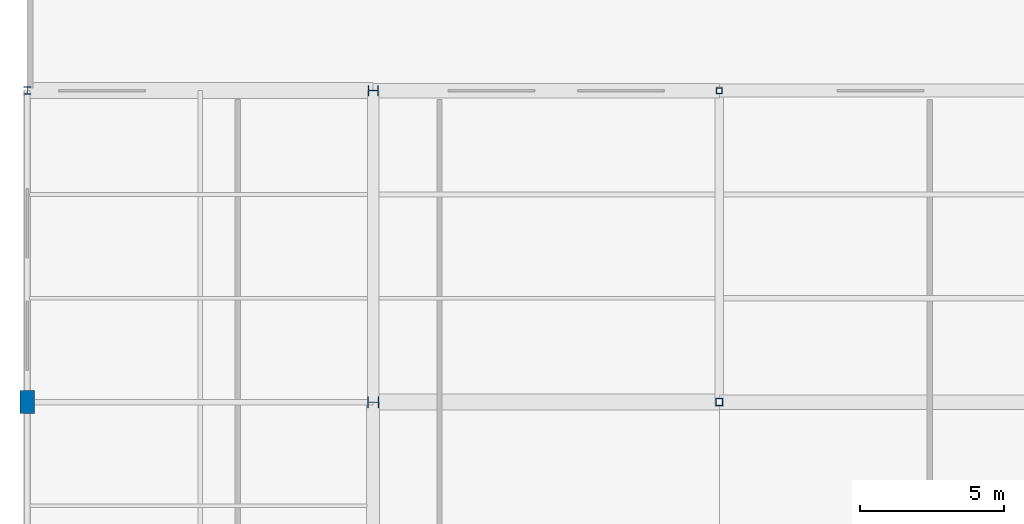
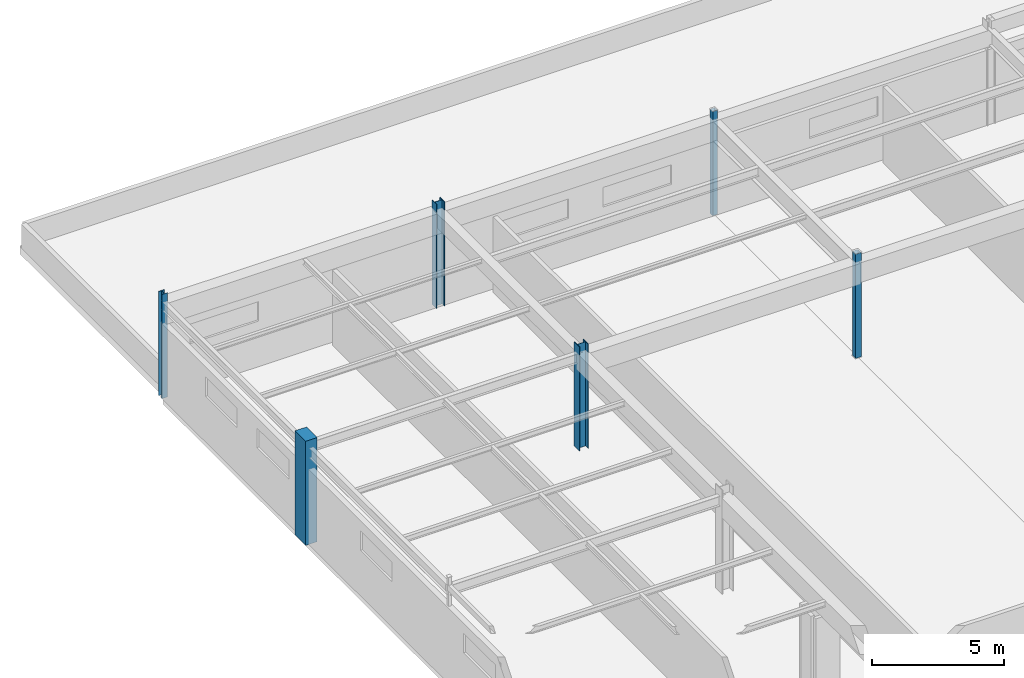
# One storey, part 20 of 186: 6 columns.
"""IFC4 building model written with IfcOpenShell, lengths in metres."""

from ifc_helpers import new_model, si_unit, direction, frame, origin, origin_2d, place, context, subcontext, project, spatial, rectangle, hollow_rectangle, i_section, extrude, material, material_profile, profile_set, type_object, element, save


model = new_model("IFC4")

# Units and contexts
model_context = context("Model", 3, precision=1e-05, world=origin(), true_north=direction((0.0, 1.0)))
body_context = subcontext(model_context, "Body", "Model", "MODEL_VIEW")
ifc_project = project(units=[si_unit("LENGTHUNIT", "METRE"), si_unit("AREAUNIT", "SQUARE_METRE"), si_unit("VOLUMEUNIT", "CUBIC_METRE"), si_unit("PLANEANGLEUNIT", "RADIAN"), si_unit("MASSUNIT", "GRAM", prefix="KILO")], contexts=[model_context])

# Site, building, storey
site_placement = place(None, origin())
site = spatial("IfcSite", under=ifc_project, at=site_placement, CompositionType="ELEMENT")
building_placement = place(site_placement, origin())
building = spatial("IfcBuilding", under=site, at=building_placement, Name="Tarnwether General Hospital", CompositionType="ELEMENT")
storey_placement = place(building_placement, frame((0.0, 0.0, 9.60009765625)))
storey = spatial("IfcBuildingStorey", under=building, at=storey_placement, Name="L02", CompositionType="ELEMENT", Elevation=9.60009765625)

# Columns
ifc_material_1 = material(Name="Steel Grade 350 (350 MPa)", Category="steel")
ifc_material_profile_1 = material_profile(ifc_material_1, i_section(OverallWidth=0.39990234375, OverallDepth=0.39990234375, WebThickness=0.02001953125, FlangeThickness=0.028076171875, at=origin_2d()), Name="400WC270")
ifc_profile_set_1 = profile_set([ifc_material_profile_1], Name="Steel Grade 350 (350 MPa)")
column_type_1 = type_object("IfcColumnType", Name="COL-02", PredefinedType="COLUMN", material=ifc_profile_set_1)
column_1_placement = place(storey_placement, frame((12.0, 104.39990234375, 0.0), z_axis=(0.0, 0.0, 1.0), x_axis=(0.0, 1.0, 0.0)))
element("IfcColumn", 1, at=column_1_placement, inside=storey, type_object=column_type_1, Name="Column COLG-L02-1200_10440", PredefinedType="COLUMN", context=body_context, shape_type="SweptSolid", body=[
    extrude(i_section(OverallWidth=0.39990234375, OverallDepth=0.39990234375, WebThickness=0.02001953125, FlangeThickness=0.028076171875, at=origin_2d()), origin(), (0.0, 0.0, 1.0), 4.7998046875),
])
ifc_material_2 = material(Name="Steel Grade 350 (350 MPa)", Category="steel")
ifc_material_profile_2 = material_profile(ifc_material_2, i_section(OverallWidth=0.35009765625, OverallDepth=0.360107421875, WebThickness=0.01611328125, FlangeThickness=0.028076171875, at=origin_2d()), Name="350WC230")
ifc_profile_set_2 = profile_set([ifc_material_profile_2], Name="Steel Grade 350 (350 MPa)")
column_type_2 = type_object("IfcColumnType", Name="COL-03", PredefinedType="COLUMN", material=ifc_profile_set_2)
column_2_placement = place(storey_placement, frame((12.0, 115.199951171875, 0.0), z_axis=(0.0, 0.0, 1.0), x_axis=(0.0, 1.0, 0.0)))
element("IfcColumn", 2, at=column_2_placement, inside=storey, type_object=column_type_2, Name="Column COLG-L02-1200_11520", PredefinedType="COLUMN", context=body_context, shape_type="SweptSolid", body=[
    extrude(i_section(OverallWidth=0.35009765625, OverallDepth=0.360107421875, WebThickness=0.01611328125, FlangeThickness=0.028076171875, at=origin_2d()), origin(), (0.0, 0.0, 1.0), 4.7998046875),
])
ifc_material_3 = material(Name="Steel Grade C350L0 (350 MPa)", Category="steel")
ifc_material_profile_3 = material_profile(ifc_material_3, hollow_rectangle(XDim=0.25, YDim=0.25, WallThickness=0.012451171875, at=origin_2d()), Name="SHS250x250x12.5")
ifc_profile_set_3 = profile_set([ifc_material_profile_3], Name="Steel Grade C350L0 (350 MPa)")
column_type_3 = type_object("IfcColumnType", Name="COL-14", PredefinedType="COLUMN", material=ifc_profile_set_3)
column_3_placement = place(storey_placement, frame((24.0, 104.39990234375, 0.0), z_axis=(0.0, 0.0, 1.0), x_axis=(1.0, 0.0, 0.0)))
element("IfcColumn", 3, at=column_3_placement, inside=storey, type_object=column_type_3, Name="Column COLG-L02-2400_10440", PredefinedType="COLUMN", context=body_context, shape_type="SweptSolid", body=[
    extrude(hollow_rectangle(XDim=0.25, YDim=0.25, WallThickness=0.012451171875, at=origin_2d()), origin(), (0.0, 0.0, 1.0), 4.7998046875),
])
ifc_material_4 = material(Name="Steel Grade C350L0 (350 MPa)", Category="steel")
ifc_material_profile_4 = material_profile(ifc_material_4, hollow_rectangle(XDim=0.199951171875, YDim=0.199951171875, WallThickness=0.010009765625, at=origin_2d()), Name="SHS200x200x10")
ifc_profile_set_4 = profile_set([ifc_material_profile_4], Name="Steel Grade C350L0 (350 MPa)")
column_type_4 = type_object("IfcColumnType", Name="COL-15", PredefinedType="COLUMN", material=ifc_profile_set_4)
column_4_placement = place(storey_placement, frame((24.0, 115.199951171875, 0.0), z_axis=(0.0, 0.0, 1.0), x_axis=(1.0, 0.0, 0.0)))
element("IfcColumn", 4, at=column_4_placement, inside=storey, type_object=column_type_4, Name="Column COLG-L02-2400_11520", PredefinedType="COLUMN", context=body_context, shape_type="SweptSolid", body=[
    extrude(hollow_rectangle(XDim=0.199951171875, YDim=0.199951171875, WallThickness=0.010009765625, at=origin_2d()), origin(), (0.0, 0.0, 1.0), 4.7998046875),
])
ifc_material_5 = material(Name="Concrete 50 MPa", Category="concrete")
ifc_material_profile_5 = material_profile(ifc_material_5, rectangle(XDim=0.5, YDim=0.800048828125, at=origin_2d()), Name="RC-PIL-500x800")
ifc_profile_set_5 = profile_set([ifc_material_profile_5], Name="Concrete 50 MPa")
column_type_5 = type_object("IfcColumnType", Name="COL-23", PredefinedType="PILASTER", material=ifc_profile_set_5)
column_5_placement = place(storey_placement, frame((0.0, 104.39990234375, 0.0), z_axis=(0.0, 0.0, 1.0), x_axis=(1.0, 0.0, 0.0)))
element("IfcColumn", 5, at=column_5_placement, inside=storey, type_object=column_type_5, Name="Column COLG-L02-0_10440", PredefinedType="PILASTER", context=body_context, shape_type="SweptSolid", body=[
    extrude(rectangle(XDim=0.5, YDim=0.800048828125, at=origin_2d()), origin(), (0.0, 0.0, 1.0), 4.7998046875),
])
ifc_material_6 = material(Name="Steel Grade 350 (350 MPa)", Category="steel")
ifc_material_profile_6 = material_profile(ifc_material_6, i_section(OverallWidth=0.25390625, OverallDepth=0.25390625, WebThickness=0.008544921875, FlangeThickness=0.01416015625, at=origin_2d()), Name="250UC72.9")
ifc_profile_set_6 = profile_set([ifc_material_profile_6], Name="Steel Grade 350 (350 MPa)")
column_type_6 = type_object("IfcColumnType", Name="COL-24", PredefinedType="COLUMN", material=ifc_profile_set_6)
column_6_placement = place(storey_placement, frame((0.0, 115.199951171875, 0.0), z_axis=(0.0, 0.0, 1.0), x_axis=(1.0, 0.0, 0.0)))
element("IfcColumn", 6, at=column_6_placement, inside=storey, type_object=column_type_6, Name="Column COLG-L02-0_11520", PredefinedType="COLUMN", context=body_context, shape_type="SweptSolid", body=[
    extrude(i_section(OverallWidth=0.25390625, OverallDepth=0.25390625, WebThickness=0.008544921875, FlangeThickness=0.01416015625, at=origin_2d()), origin(), (0.0, 0.0, 1.0), 4.7998046875),
])

save(model, "model.ifc")
